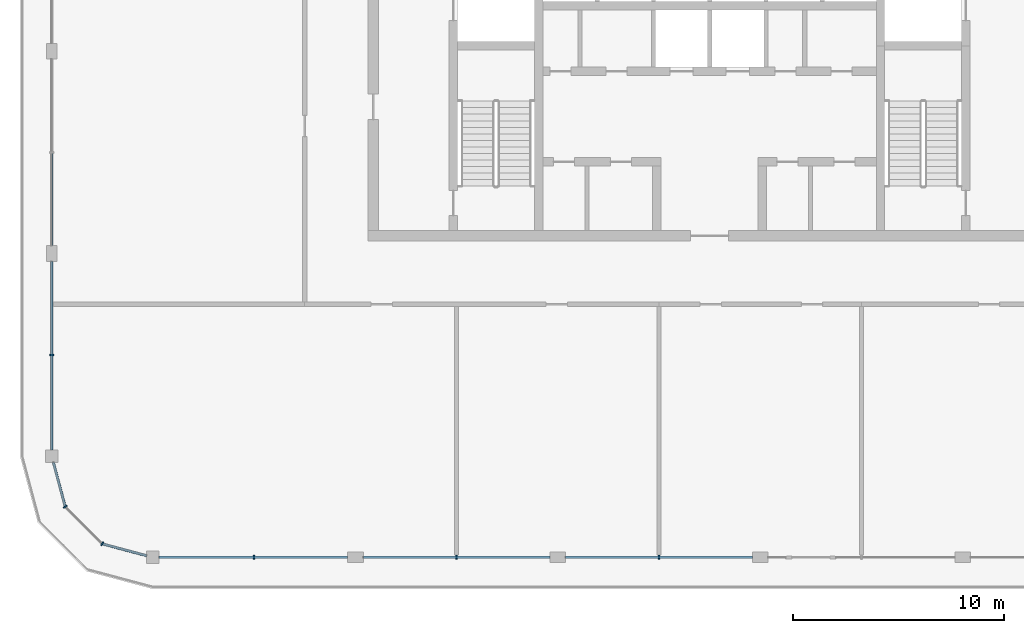
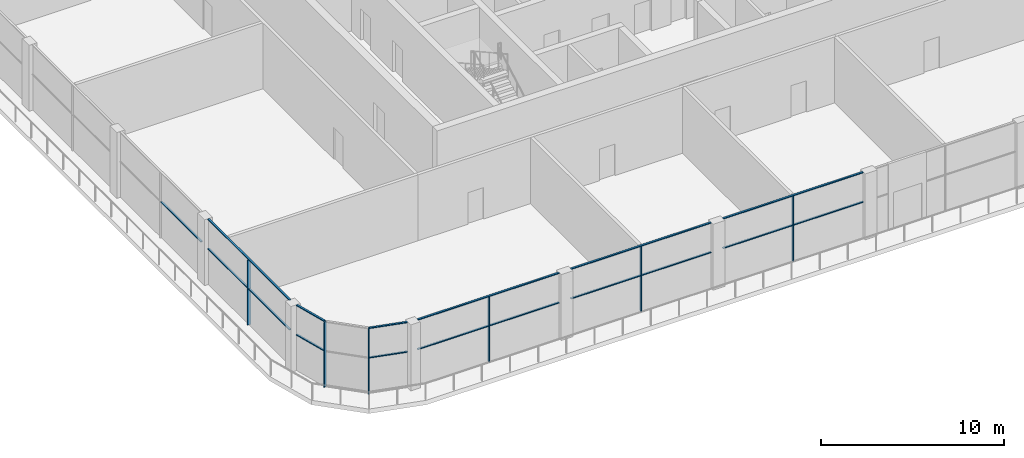
# One storey, part 2 of 15: 23 members, 6 elements without a shape of their own.
"""IFC4 building model written with IfcOpenShell, lengths in metres."""

from ifc_helpers import new_model, si_unit, direction, frame, origin, origin_2d, place, context, subcontext, project, spatial, rectangle, extrude, material, layer, layer_set, material_profile, profile_set, type_object, element, aggregate, save


model = new_model("IFC4")

# Units and contexts
model_context = context("Model", 3, precision=1e-05, world=origin(), true_north=direction((0.0, 1.0)))
body_context = subcontext(model_context, "Body", "Model", "MODEL_VIEW")
ifc_project = project(units=[si_unit("LENGTHUNIT", "METRE"), si_unit("AREAUNIT", "SQUARE_METRE"), si_unit("VOLUMEUNIT", "CUBIC_METRE"), si_unit("PLANEANGLEUNIT", "RADIAN"), si_unit("MASSUNIT", "GRAM", prefix="KILO")], contexts=[model_context])

# Site, building, storey
site_placement = place(None, origin())
site = spatial("IfcSite", under=ifc_project, at=site_placement, CompositionType="ELEMENT")
building_placement = place(site_placement, origin())
building = spatial("IfcBuilding", under=site, at=building_placement, Name="Madar Terraces", CompositionType="ELEMENT")
storey_placement = place(building_placement, frame((0.0, 0.0, 291.5)))
storey = spatial("IfcBuildingStorey", under=building, at=storey_placement, Name="L76", CompositionType="ELEMENT", Elevation=291.5)

# Curtain wall, member
ifc_material_1 = material(Name="Glass, clear low-iron, with black aluminium frame", Category="aluminium")
ifc_layer = layer(ifc_material_1, 0.199951171875)
ifc_layer_set = layer_set([ifc_layer], Name="Facade curtain wall, observation glazing")
curtain_wall_type = type_object("IfcCurtainWallType", Name="Facade curtain wall, observation glazing", PredefinedType="NOTDEFINED", material=ifc_layer_set)
curtain_wall_1_placement = place(storey_placement, origin())
curtain_wall_1 = element("IfcCurtainWall", 1, at=curtain_wall_1_placement, inside=storey, type_object=curtain_wall_type, Name="Outer skin curtain wall south bay 1", PredefinedType="NOTDEFINED")
ifc_material_2 = material(Name="Aluminium, black anodised", Category="aluminium")
ifc_material_profile_1 = material_profile(ifc_material_2, rectangle(XDim=0.199951171875, YDim=0.06005859375, at=origin_2d()), Name="Facade mullion 60x200")
ifc_profile_set_1 = profile_set([ifc_material_profile_1], Name="Aluminium, black anodised")
member_type_1 = type_object("IfcMemberType", Name="Facade mullion 60x200", PredefinedType="MULLION", material=ifc_profile_set_1)
member_1_placement = place(storey_placement, frame((9.60009765625, 0.0, 0.0), z_axis=(0.0, 0.0, 1.0), x_axis=(0.0, 1.0, 0.0)))
member_1 = element("IfcMember", 2, at=member_1_placement, type_object=member_type_1, Name="Mullion 1", PredefinedType="MULLION", context=body_context, shape_type="SweptSolid", body=[
    extrude(rectangle(XDim=0.199951171875, YDim=0.06005859375, at=origin_2d()), origin(), (0.0, 0.0, 1.0), 4.340087890625),
])

curtain_wall_2_placement = place(storey_placement, origin())
curtain_wall_2 = element("IfcCurtainWall", 3, at=curtain_wall_2_placement, inside=storey, type_object=curtain_wall_type, Name="Outer skin curtain wall south bay 2", PredefinedType="NOTDEFINED")
member_2_placement = place(storey_placement, frame((19.199951171875, 0.0, 0.0), z_axis=(0.0, 0.0, 1.0), x_axis=(0.0, 1.0, 0.0)))
member_2 = element("IfcMember", 4, at=member_2_placement, type_object=member_type_1, Name="Mullion 1", PredefinedType="MULLION", context=body_context, shape_type="SweptSolid", body=[
    extrude(rectangle(XDim=0.199951171875, YDim=0.06005859375, at=origin_2d()), origin(), (0.0, 0.0, 1.0), 4.340087890625),
])

curtain_wall_3_placement = place(storey_placement, origin())
curtain_wall_3 = element("IfcCurtainWall", 5, at=curtain_wall_3_placement, inside=storey, type_object=curtain_wall_type, Name="Outer skin curtain wall south bay 3", PredefinedType="NOTDEFINED")
member_3_placement = place(storey_placement, frame((28.800048828125, 0.0, 0.0), z_axis=(0.0, 0.0, 1.0), x_axis=(0.0, 1.0, 0.0)))
member_3 = element("IfcMember", 6, at=member_3_placement, type_object=member_type_1, Name="Mullion 1", PredefinedType="MULLION", context=body_context, shape_type="SweptSolid", body=[
    extrude(rectangle(XDim=0.199951171875, YDim=0.06005859375, at=origin_2d()), origin(), (0.0, 0.0, 1.0), 4.340087890625),
])

curtain_wall_4_placement = place(storey_placement, origin())
curtain_wall_4 = element("IfcCurtainWall", 7, at=curtain_wall_4_placement, inside=storey, type_object=curtain_wall_type, Name="Outer skin curtain wall west bay 4", PredefinedType="NOTDEFINED")
member_4_placement = place(storey_placement, frame((0.0, 9.60009765625, 0.0), z_axis=(0.0, 0.0, 1.0), x_axis=(1.0, 0.0, 0.0)))
member_4 = element("IfcMember", 8, at=member_4_placement, type_object=member_type_1, Name="Mullion 1", PredefinedType="MULLION", context=body_context, shape_type="SweptSolid", body=[
    extrude(rectangle(XDim=0.199951171875, YDim=0.06005859375, at=origin_2d()), origin(), (0.0, 0.0, 1.0), 4.340087890625),
])

# Curtain wall, members
curtain_wall_5_placement = place(storey_placement, origin())
curtain_wall_5 = element("IfcCurtainWall", 9, at=curtain_wall_5_placement, inside=storey, type_object=curtain_wall_type, Name="Outer skin curtain wall south-west corner", PredefinedType="NOTDEFINED")
member_5_placement = place(storey_placement, frame((0.64306640625, 2.39990234375, 0.0), z_axis=(0.0, 0.0, 1.0), x_axis=(0.866025409797, 0.499999989586, 0.0)))
member_5 = element("IfcMember", 10, at=member_5_placement, type_object=member_type_1, Name="Mullion 1", PredefinedType="MULLION", context=body_context, shape_type="SweptSolid", body=[
    extrude(rectangle(XDim=0.199951171875, YDim=0.06005859375, at=origin_2d()), origin(), (0.0, 0.0, 1.0), 4.340087890625),
])
member_6_placement = place(storey_placement, frame((2.39990234375, 0.64306640625, 0.0), z_axis=(0.0, 0.0, 1.0), x_axis=(0.499999989586, 0.866025409797, 0.0)))
member_6 = element("IfcMember", 11, at=member_6_placement, type_object=member_type_1, Name="Mullion 2", PredefinedType="MULLION", context=body_context, shape_type="SweptSolid", body=[
    extrude(rectangle(XDim=0.199951171875, YDim=0.06005859375, at=origin_2d()), origin(), (0.0, 0.0, 1.0), 4.340087890625),
])

# Member
ifc_material_3 = material(Name="Aluminium, black anodised", Category="aluminium")
ifc_material_profile_2 = material_profile(ifc_material_3, rectangle(XDim=0.1201171875, YDim=0.06005859375, at=origin_2d()), Name="Facade transom 60x120")
ifc_profile_set_2 = profile_set([ifc_material_profile_2], Name="Aluminium, black anodised")
member_type_2 = type_object("IfcMemberType", Name="Facade transom 60x120", PredefinedType="USERDEFINED", material=ifc_profile_set_2)
member_7_placement = place(storey_placement, frame((5.10009765625, 0.0, 4.3701171875), z_axis=(1.0, 0.0, 0.0), x_axis=(0.0, 1.0, 0.0)))
member_7 = element("IfcMember", 12, at=member_7_placement, type_object=member_type_2, Name="Transom 1", ObjectType="TRANSOM", PredefinedType="USERDEFINED", context=body_context, shape_type="SweptSolid", body=[
    extrude(rectangle(XDim=0.1201171875, YDim=0.06005859375, at=origin_2d()), origin(), (0.0, 0.0, 1.0), 8.9248046875),
])

member_8_placement = place(storey_placement, frame((5.10009765625, 0.0, 2.39990234375), z_axis=(1.0, 0.0, 0.0), x_axis=(0.0, 1.0, 0.0)))
member_8 = element("IfcMember", 13, at=member_8_placement, type_object=member_type_2, Name="Transom 2", ObjectType="TRANSOM", PredefinedType="USERDEFINED", context=body_context, shape_type="SweptSolid", body=[
    extrude(rectangle(XDim=0.1201171875, YDim=0.06005859375, at=origin_2d()), origin(), (0.0, 0.0, 1.0), 4.469970703125),
])

member_9_placement = place(storey_placement, frame((9.6298828125, 0.0, 2.39990234375), z_axis=(1.0, 0.0, 0.0), x_axis=(0.0, 1.0, 0.0)))
member_9 = element("IfcMember", 14, at=member_9_placement, type_object=member_type_2, Name="Transom 3", ObjectType="TRANSOM", PredefinedType="USERDEFINED", context=body_context, shape_type="SweptSolid", body=[
    extrude(rectangle(XDim=0.1201171875, YDim=0.06005859375, at=origin_2d()), origin(), (0.0, 0.0, 1.0), 4.39501953125),
])

aggregate(curtain_wall_1, [member_1, member_7, member_8, member_9])

member_10_placement = place(storey_placement, frame((14.77490234375, 0.0, 4.3701171875), z_axis=(1.0, 0.0, 0.0), x_axis=(0.0, 1.0, 0.0)))
member_10 = element("IfcMember", 15, at=member_10_placement, type_object=member_type_2, Name="Transom 1", ObjectType="TRANSOM", PredefinedType="USERDEFINED", context=body_context, shape_type="SweptSolid", body=[
    extrude(rectangle(XDim=0.1201171875, YDim=0.06005859375, at=origin_2d()), origin(), (0.0, 0.0, 1.0), 8.85009765625),
])

member_11_placement = place(storey_placement, frame((14.77490234375, 0.0, 2.39990234375), z_axis=(1.0, 0.0, 0.0), x_axis=(0.0, 1.0, 0.0)))
member_11 = element("IfcMember", 16, at=member_11_placement, type_object=member_type_2, Name="Transom 2", ObjectType="TRANSOM", PredefinedType="USERDEFINED", context=body_context, shape_type="SweptSolid", body=[
    extrude(rectangle(XDim=0.1201171875, YDim=0.06005859375, at=origin_2d()), origin(), (0.0, 0.0, 1.0), 4.39501953125),
])

member_12_placement = place(storey_placement, frame((19.22998046875, 0.0, 2.39990234375), z_axis=(1.0, 0.0, 0.0), x_axis=(0.0, 1.0, 0.0)))
member_12 = element("IfcMember", 17, at=member_12_placement, type_object=member_type_2, Name="Transom 3", ObjectType="TRANSOM", PredefinedType="USERDEFINED", context=body_context, shape_type="SweptSolid", body=[
    extrude(rectangle(XDim=0.1201171875, YDim=0.06005859375, at=origin_2d()), origin(), (0.0, 0.0, 1.0), 4.39501953125),
])

aggregate(curtain_wall_2, [member_2, member_10, member_11, member_12])

member_13_placement = place(storey_placement, frame((24.375, 0.0, 4.3701171875), z_axis=(1.0, 0.0, 0.0), x_axis=(0.0, 1.0, 0.0)))
member_13 = element("IfcMember", 18, at=member_13_placement, type_object=member_type_2, Name="Transom 1", ObjectType="TRANSOM", PredefinedType="USERDEFINED", context=body_context, shape_type="SweptSolid", body=[
    extrude(rectangle(XDim=0.1201171875, YDim=0.06005859375, at=origin_2d()), origin(), (0.0, 0.0, 1.0), 8.85009765625),
])

member_14_placement = place(storey_placement, frame((24.375, 0.0, 2.39990234375), z_axis=(1.0, 0.0, 0.0), x_axis=(0.0, 1.0, 0.0)))
member_14 = element("IfcMember", 19, at=member_14_placement, type_object=member_type_2, Name="Transom 2", ObjectType="TRANSOM", PredefinedType="USERDEFINED", context=body_context, shape_type="SweptSolid", body=[
    extrude(rectangle(XDim=0.1201171875, YDim=0.06005859375, at=origin_2d()), origin(), (0.0, 0.0, 1.0), 4.39501953125),
])

member_15_placement = place(storey_placement, frame((28.830078125, 0.0, 2.39990234375), z_axis=(1.0, 0.0, 0.0), x_axis=(0.0, 1.0, 0.0)))
member_15 = element("IfcMember", 20, at=member_15_placement, type_object=member_type_2, Name="Transom 3", ObjectType="TRANSOM", PredefinedType="USERDEFINED", context=body_context, shape_type="SweptSolid", body=[
    extrude(rectangle(XDim=0.1201171875, YDim=0.06005859375, at=origin_2d()), origin(), (0.0, 0.0, 1.0), 4.39501953125),
])

aggregate(curtain_wall_3, [member_3, member_13, member_14, member_15])

# Curtain wall, member
curtain_wall_6_placement = place(storey_placement, origin())
curtain_wall_6 = element("IfcCurtainWall", 21, at=curtain_wall_6_placement, inside=storey, type_object=curtain_wall_type, Name="Outer skin curtain wall west bay 3", PredefinedType="NOTDEFINED")
member_16_placement = place(storey_placement, frame((0.0, 19.169921875, 2.39990234375), z_axis=(0.0, -1.0, 0.0), x_axis=(1.0, 0.0, 0.0)))
member_16 = element("IfcMember", 22, at=member_16_placement, type_object=member_type_2, Name="Transom 3", ObjectType="TRANSOM", PredefinedType="USERDEFINED", context=body_context, shape_type="SweptSolid", body=[
    extrude(rectangle(XDim=0.1201171875, YDim=0.06005859375, at=origin_2d()), origin(), (0.0, 0.0, 1.0), 4.39501953125),
])
aggregate(curtain_wall_6, [member_16])

# Member
member_17_placement = place(storey_placement, frame((0.0, 14.02490234375, 4.3701171875), z_axis=(0.0, -1.0, 0.0), x_axis=(1.0, 0.0, 0.0)))
member_17 = element("IfcMember", 23, at=member_17_placement, type_object=member_type_2, Name="Transom 1", ObjectType="TRANSOM", PredefinedType="USERDEFINED", context=body_context, shape_type="SweptSolid", body=[
    extrude(rectangle(XDim=0.1201171875, YDim=0.06005859375, at=origin_2d()), origin(), (0.0, 0.0, 1.0), 8.9248046875),
])

member_18_placement = place(storey_placement, frame((0.0, 14.02490234375, 2.39990234375), z_axis=(0.0, -1.0, 0.0), x_axis=(1.0, 0.0, 0.0)))
member_18 = element("IfcMember", 24, at=member_18_placement, type_object=member_type_2, Name="Transom 2", ObjectType="TRANSOM", PredefinedType="USERDEFINED", context=body_context, shape_type="SweptSolid", body=[
    extrude(rectangle(XDim=0.1201171875, YDim=0.06005859375, at=origin_2d()), origin(), (0.0, 0.0, 1.0), 4.39501953125),
])

member_19_placement = place(storey_placement, frame((0.0, 9.570068359375, 2.39990234375), z_axis=(0.0, -1.0, 0.0), x_axis=(1.0, 0.0, 0.0)))
member_19 = element("IfcMember", 25, at=member_19_placement, type_object=member_type_2, Name="Transom 3", ObjectType="TRANSOM", PredefinedType="USERDEFINED", context=body_context, shape_type="SweptSolid", body=[
    extrude(rectangle(XDim=0.1201171875, YDim=0.06005859375, at=origin_2d()), origin(), (0.0, 0.0, 1.0), 4.469970703125),
])

aggregate(curtain_wall_4, [member_4, member_17, member_18, member_19])

member_20_placement = place(storey_placement, frame((0.080322265625, 4.5, 4.3701171875), z_axis=(0.258817664066, -0.965926196336, 0.0), x_axis=(0.965926196336, 0.258817664066, 0.0)))
member_20 = element("IfcMember", 26, at=member_20_placement, type_object=member_type_2, Name="Transom 1", ObjectType="TRANSOM", PredefinedType="USERDEFINED", context=body_context, shape_type="SweptSolid", body=[
    extrude(rectangle(XDim=0.1201171875, YDim=0.06005859375, at=origin_2d()), origin(), (0.0, 0.0, 1.0), 2.14404296875),
])

member_21_placement = place(storey_placement, frame((0.080322265625, 4.5, 2.39990234375), z_axis=(0.258817664066, -0.965926196336, 0.0), x_axis=(0.965926196336, 0.258817664066, 0.0)))
member_21 = element("IfcMember", 27, at=member_21_placement, type_object=member_type_2, Name="Transom 2", ObjectType="TRANSOM", PredefinedType="USERDEFINED", context=body_context, shape_type="SweptSolid", body=[
    extrude(rectangle(XDim=0.1201171875, YDim=0.06005859375, at=origin_2d()), origin(), (0.0, 0.0, 1.0), 2.14404296875),
])

member_22_placement = place(storey_placement, frame((2.428955078125, 0.63525390625, 4.3701171875), z_axis=(0.965926196336, -0.258817664066, 0.0), x_axis=(0.258817664066, 0.965926196336, 0.0)))
member_22 = element("IfcMember", 28, at=member_22_placement, type_object=member_type_2, Name="Transom 5", ObjectType="TRANSOM", PredefinedType="USERDEFINED", context=body_context, shape_type="SweptSolid", body=[
    extrude(rectangle(XDim=0.1201171875, YDim=0.06005859375, at=origin_2d()), origin(), (0.0, 0.0, 1.0), 2.14404296875),
])

member_23_placement = place(storey_placement, frame((2.428955078125, 0.63525390625, 2.39990234375), z_axis=(0.965926196336, -0.258817664066, 0.0), x_axis=(0.258817664066, 0.965926196336, 0.0)))
member_23 = element("IfcMember", 29, at=member_23_placement, type_object=member_type_2, Name="Transom 6", ObjectType="TRANSOM", PredefinedType="USERDEFINED", context=body_context, shape_type="SweptSolid", body=[
    extrude(rectangle(XDim=0.1201171875, YDim=0.06005859375, at=origin_2d()), origin(), (0.0, 0.0, 1.0), 2.14404296875),
])

aggregate(curtain_wall_5, [member_5, member_20, member_21, member_6, member_22, member_23])

save(model, "model.ifc")
